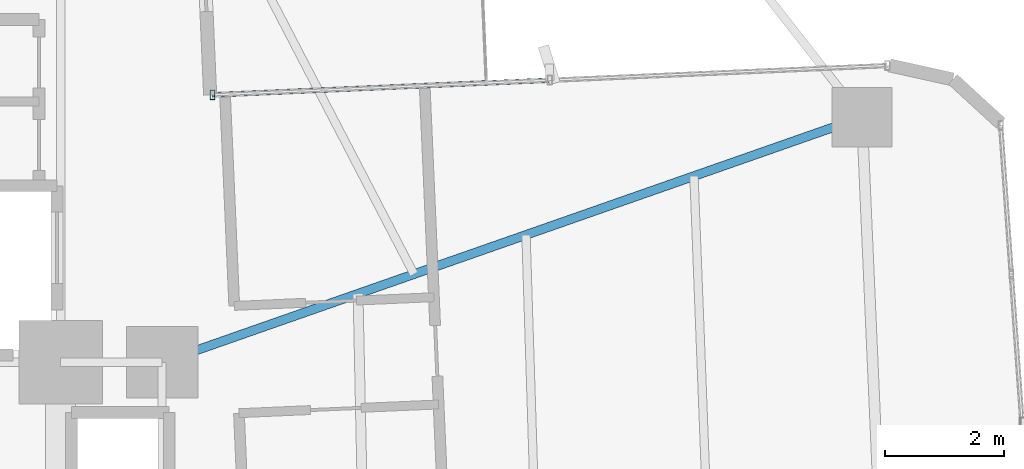
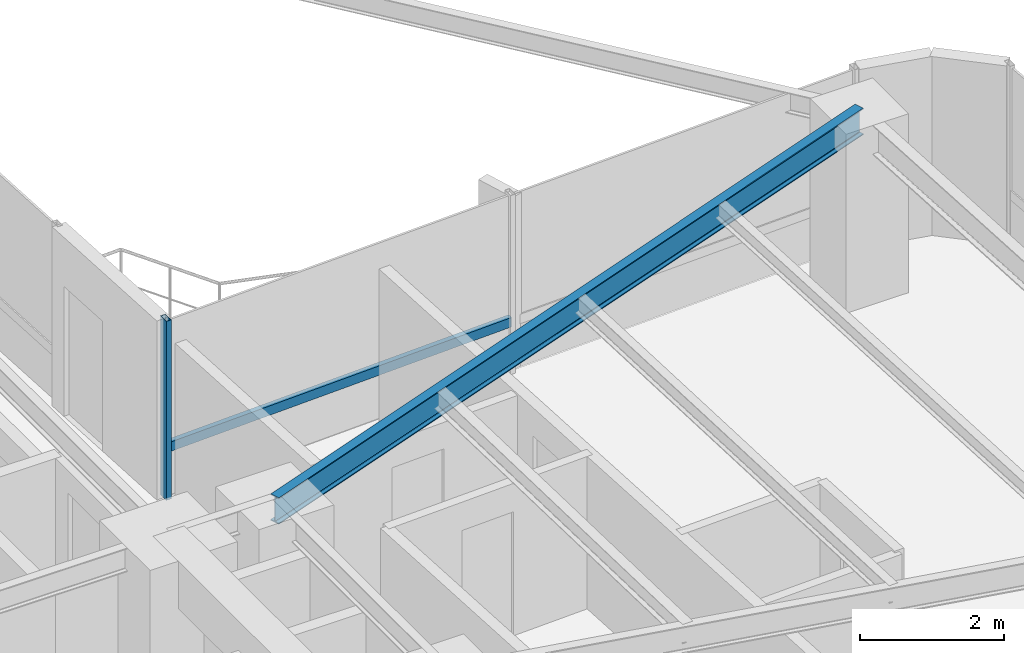
# One storey, part 13 of 26: 2 members, 1 beam, 1 element without a shape of its own.
"""IFC4 building model written with IfcOpenShell, lengths in metres."""

from ifc_helpers import new_model, si_unit, direction, frame, origin, origin_2d, place, context, subcontext, project, spatial, hollow_rectangle, i_section, extrude, source, transform, mapped, material, material_profile, profile_set, type_object, element, aggregate, save


model = new_model("IFC4")

# Units and contexts
model_context = context("Model", 3, precision=1e-05, world=origin(), true_north=direction((0.0, 1.0)))
body_context = subcontext(model_context, "Body", "Model", "MODEL_VIEW")
ifc_project = project(units=[si_unit("LENGTHUNIT", "METRE"), si_unit("AREAUNIT", "SQUARE_METRE"), si_unit("VOLUMEUNIT", "CUBIC_METRE"), si_unit("PLANEANGLEUNIT", "RADIAN"), si_unit("MASSUNIT", "GRAM", prefix="KILO")], contexts=[model_context])

# Site, building, storey
site_placement = place(None, origin())
site = spatial("IfcSite", under=ifc_project, at=site_placement, CompositionType="ELEMENT")
building_placement = place(site_placement, origin())
building = spatial("IfcBuilding", under=site, at=building_placement, Name="Sahyath Konkavel Grand Hotel", CompositionType="ELEMENT")
storey_placement = place(building_placement, frame((0.0, 0.0, 134.89990234375)))
storey = spatial("IfcBuildingStorey", under=building, at=storey_placement, Name="L37", CompositionType="ELEMENT", Elevation=134.89990234375)

# Beam
ifc_material_1 = material(Name="Steel E350", Category="steel")
ifc_material_profile_1 = material_profile(ifc_material_1, i_section(OverallWidth=0.14990234375, OverallDepth=0.449951171875, WebThickness=0.009521484375, FlangeThickness=0.017333984375, FilletRadius=0.014892578125, at=origin_2d()), Name="ISMB 450")
ifc_profile_set_1 = profile_set([ifc_material_profile_1], Name="Steel E350")
beam_type = type_object("IfcBeamType", Name="BM-ISMB450", PredefinedType="BEAM", material=ifc_profile_set_1)
shared_shape_1 = source(origin(), body_context, "Body", "SweptSolid", [
    extrude(i_section(OverallWidth=0.14990234375, OverallDepth=0.449951171875, WebThickness=0.009521484375, FlangeThickness=0.017333984375, FilletRadius=0.014892578125, at=origin_2d()), origin(), (0.0, 0.0, 1.0), 12.430908203125),
])
beam_placement = place(storey_placement, frame((5.5, 2.39990234375, 2.80517578125), z_axis=(0.943819157235, 0.330462400941, 0.0), x_axis=(-0.330462400941, 0.943819157235, 0.0)))
element("IfcBeam", 1, at=beam_placement, inside=storey, type_object=beam_type, Name="L37 Cruciform Radial Girder EB", PredefinedType="BEAM", context=body_context, shape_type="MappedRepresentation", body=[
    mapped(shared_shape_1, transform((0.0, 0.0, 0.0), scale=1.0)),
])

# Curtain wall, members
ifc_material_2 = material(Name="Anodised Bronze Aluminium & Low-E Glazing", Category="aluminium")
curtain_wall_type = type_object("IfcCurtainWallType", Name="CW-ZONE2", PredefinedType="NOTDEFINED", material=ifc_material_2)
curtain_wall_placement = place(storey_placement, origin())
curtain_wall = element("IfcCurtainWall", 2, at=curtain_wall_placement, inside=storey, type_object=curtain_wall_type, Name="L37 Unitised Curtain Wall F7", PredefinedType="NOTDEFINED")
ifc_material_3 = material(Name="Anodised Bronze Aluminium", Category="aluminium")
ifc_material_profile_2 = material_profile(ifc_material_3, hollow_rectangle(XDim=0.080078125, YDim=0.159912109375, WallThickness=0.006103515625, at=origin_2d()), Name="RHS 160x80x6")
ifc_profile_set_2 = profile_set([ifc_material_profile_2], Name="Anodised Bronze Aluminium")
member_type_1 = type_object("IfcMemberType", Name="CW-MUL-160", PredefinedType="MULLION", material=ifc_profile_set_2)
shared_shape_2 = source(origin(), body_context, "Body", "SweptSolid", [
    extrude(hollow_rectangle(XDim=0.080078125, YDim=0.159912109375, WallThickness=0.006103515625, at=origin_2d()), origin(), (0.0, 0.0, 1.0), 3.030029296875),
])
member_1_placement = place(storey_placement, frame((6.345703125, 6.88330078125, 0.0), z_axis=(0.0, 0.0, 1.0), x_axis=(1.0, 0.0, 0.0)))
member_1 = element("IfcMember", 3, at=member_1_placement, type_object=member_type_1, Name="L37 Curtain Wall Mullion F7-2", PredefinedType="MULLION", context=body_context, shape_type="MappedRepresentation", body=[
    mapped(shared_shape_2, transform((0.0, 0.0, 0.0), scale=1.0)),
])
ifc_material_profile_3 = material_profile(ifc_material_3, hollow_rectangle(XDim=0.080078125, YDim=0.159912109375, WallThickness=0.006103515625, at=origin_2d()), Name="RHS 160x80x6")
ifc_profile_set_3 = profile_set([ifc_material_profile_3], Name="Anodised Bronze Aluminium")
member_type_2 = type_object("IfcMemberType", Name="CW-TRN-160", PredefinedType="USERDEFINED", material=ifc_profile_set_3)
shared_shape_3 = source(origin(), body_context, "Body", "SweptSolid", [
    extrude(hollow_rectangle(XDim=0.080078125, YDim=0.159912109375, WallThickness=0.006103515625, at=origin_2d()), origin(), (0.0, 0.0, 1.0), 5.66015625),
])
member_2_placement = place(storey_placement, frame((12.00048828125, 7.13037109375, 0.85009765625), z_axis=(-0.9990468579, -0.043650609628, 0.0), x_axis=(0.043650609628, -0.9990468579, 0.0)))
member_2 = element("IfcMember", 4, at=member_2_placement, type_object=member_type_2, Name="L37 Curtain Wall Transom F7-1-spandrel", ObjectType="TRANSOM", PredefinedType="USERDEFINED", context=body_context, shape_type="MappedRepresentation", body=[
    mapped(shared_shape_3, transform((0.0, 0.0, 0.0), scale=1.0)),
])
aggregate(curtain_wall, [member_1, member_2])

save(model, "model.ifc")
